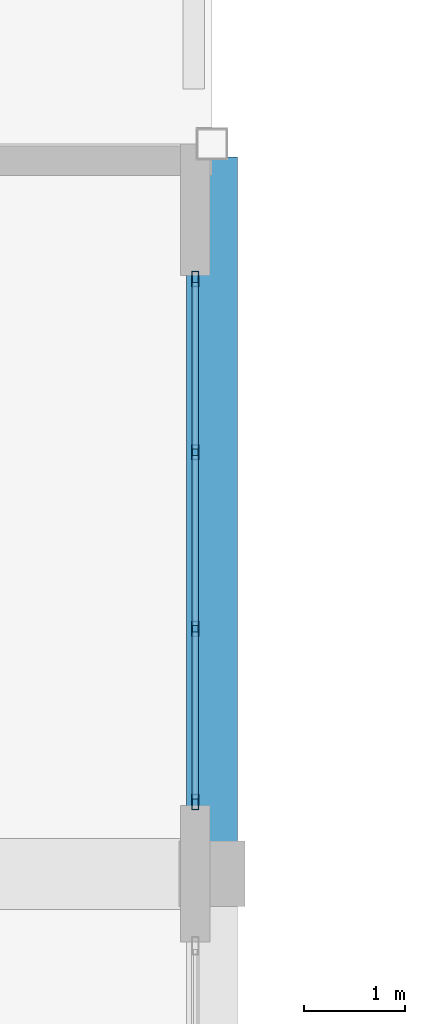
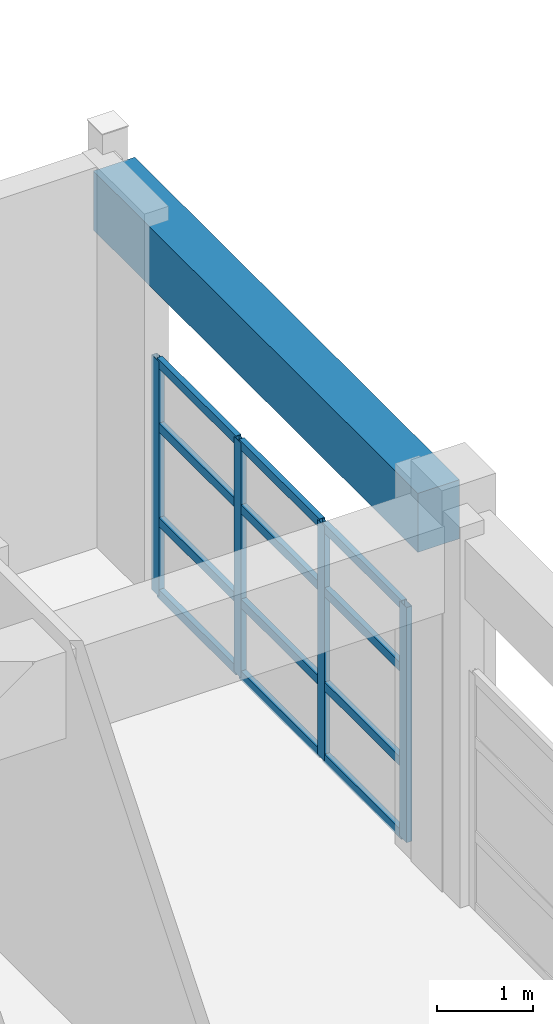
# One storey, part 25 of 78: 16 members, 1 beam, 1 element without a shape of its own.
"""IFC4 building model written with IfcOpenShell, lengths in metres."""

from ifc_helpers import new_model, si_unit, direction, frame, origin, origin_2d, place, context, subcontext, project, spatial, rectangle, hollow_rectangle, extrude, material, layer, layer_set, material_profile, profile_set, type_object, element, aggregate, save


model = new_model("IFC4")

# Units and contexts
model_context = context("Model", 3, precision=1e-05, world=origin(), true_north=direction((0.0, 1.0)))
body_context = subcontext(model_context, "Body", "Model", "MODEL_VIEW")
ifc_project = project(units=[si_unit("LENGTHUNIT", "METRE"), si_unit("AREAUNIT", "SQUARE_METRE"), si_unit("VOLUMEUNIT", "CUBIC_METRE"), si_unit("PLANEANGLEUNIT", "RADIAN"), si_unit("MASSUNIT", "GRAM", prefix="KILO")], contexts=[model_context])

# Site, building, storey
site_placement = place(None, origin())
site = spatial("IfcSite", under=ifc_project, at=site_placement, CompositionType="ELEMENT")
building_placement = place(site_placement, origin())
building = spatial("IfcBuilding", under=site, at=building_placement, Name="Quendrovan Civic Courthouse", CompositionType="ELEMENT")
storey_placement = place(building_placement, frame((0.0, 0.0, 20.39990234375)))
storey = spatial("IfcBuildingStorey", under=building, at=storey_placement, Name="L05", CompositionType="ELEMENT", Elevation=20.39990234375)

# Beam
ifc_material_1 = material(Name="Concrete C40/50", Category="concrete")
ifc_material_profile_1 = material_profile(ifc_material_1, rectangle(XDim=0.5, YDim=0.75, at=origin_2d()), Name="RC-BM-500x750")
ifc_profile_set_1 = profile_set([ifc_material_profile_1], Name="Concrete C40/50")
beam_type = type_object("IfcBeamType", Name="BM-RC750", PredefinedType="SPANDREL", material=ifc_profile_set_1)
beam_placement = place(storey_placement, frame((16.800048828125, 80.705078125, 4.28515625), z_axis=(0.0, 1.0, 0.0), x_axis=(-1.0, 0.0, 0.0)))
element("IfcBeam", 1, at=beam_placement, inside=storey, type_object=beam_type, Name="L05 Girder Y1072", PredefinedType="SPANDREL", context=body_context, shape_type="SweptSolid", body=[
    extrude(rectangle(XDim=0.5, YDim=0.75, at=origin_2d()), origin(), (0.0, 0.0, 1.0), 6.764892578125),
])

# Curtain wall, members
ifc_material_2 = material(Name="Bronze anodised aluminium and low-E glass", Category="aluminium")
ifc_layer = layer(ifc_material_2, 0.179931640625, Name="Bronze anodised aluminium and low-E glass")
ifc_layer_set = layer_set([ifc_layer], Name="Bronze anodised aluminium and low-E glass")
curtain_wall_type = type_object("IfcCurtainWallType", Name="CW-U52x30", PredefinedType="USERDEFINED", material=ifc_layer_set)
curtain_wall_placement = place(storey_placement, origin())
curtain_wall = element("IfcCurtainWall", 2, at=curtain_wall_placement, inside=storey, type_object=curtain_wall_type, Name="L05 Unitised Hurricane Curtain Wall CW-181", ObjectType="UNITISED CURTAIN WALL", PredefinedType="USERDEFINED")
ifc_material_3 = material(Name="Bronze anodised aluminium", Category="aluminium")
ifc_material_profile_2 = material_profile(ifc_material_3, hollow_rectangle(XDim=0.06494140625, YDim=0.14990234375, WallThickness=0.00390625, at=origin_2d()), Name="CW-MULL-65x150")
ifc_profile_set_2 = profile_set([ifc_material_profile_2], Name="Bronze anodised aluminium")
member_type_1 = type_object("IfcMemberType", Name="CW-MULL-B", PredefinedType="MULLION", material=ifc_profile_set_2)
member_1_placement = place(storey_placement, frame((16.635009765625, 86.267578125, 0.0), z_axis=(0.0, 0.0, 1.0), x_axis=(1.0, 0.0, 0.0)))
member_1 = element("IfcMember", 3, at=member_1_placement, type_object=member_type_1, Name="CW-181 mullion 1", PredefinedType="MULLION", context=body_context, shape_type="SweptSolid", body=[
    extrude(hollow_rectangle(XDim=0.06494140625, YDim=0.14990234375, WallThickness=0.00390625, at=origin_2d()), origin(), (0.0, 0.0, 1.0), 2.989990234375),
])
member_2_placement = place(storey_placement, frame((16.635009765625, 84.558349609375, 0.0), z_axis=(0.0, 0.0, 1.0), x_axis=(1.0, 0.0, 0.0)))
member_2 = element("IfcMember", 4, at=member_2_placement, type_object=member_type_1, Name="CW-181 mullion 2", PredefinedType="MULLION", context=body_context, shape_type="SweptSolid", body=[
    extrude(hollow_rectangle(XDim=0.06494140625, YDim=0.14990234375, WallThickness=0.00390625, at=origin_2d()), origin(), (0.0, 0.0, 1.0), 2.989990234375),
])
member_3_placement = place(storey_placement, frame((16.635009765625, 82.816650390625, 0.0), z_axis=(0.0, 0.0, 1.0), x_axis=(1.0, 0.0, 0.0)))
member_3 = element("IfcMember", 5, at=member_3_placement, type_object=member_type_1, Name="CW-181 mullion 3", PredefinedType="MULLION", context=body_context, shape_type="SweptSolid", body=[
    extrude(hollow_rectangle(XDim=0.06494140625, YDim=0.14990234375, WallThickness=0.00390625, at=origin_2d()), origin(), (0.0, 0.0, 1.0), 2.989990234375),
])
member_4_placement = place(storey_placement, frame((16.635009765625, 81.107421875, 0.0), z_axis=(0.0, 0.0, 1.0), x_axis=(1.0, 0.0, 0.0)))
member_4 = element("IfcMember", 6, at=member_4_placement, type_object=member_type_1, Name="CW-181 mullion 4", PredefinedType="MULLION", context=body_context, shape_type="SweptSolid", body=[
    extrude(hollow_rectangle(XDim=0.06494140625, YDim=0.14990234375, WallThickness=0.00390625, at=origin_2d()), origin(), (0.0, 0.0, 1.0), 2.989990234375),
])
ifc_material_profile_3 = material_profile(ifc_material_3, hollow_rectangle(XDim=0.06494140625, YDim=0.114990234375, WallThickness=0.00390625, at=origin_2d()), Name="CW-TRAN-65x115")
ifc_profile_set_3 = profile_set([ifc_material_profile_3], Name="Bronze anodised aluminium")
member_type_2 = type_object("IfcMemberType", Name="CW-TRAN-B", PredefinedType="USERDEFINED", material=ifc_profile_set_3)
member_5_placement = place(storey_placement, frame((16.635009765625, 86.235107421875, 0.03271484375), z_axis=(0.0, -1.0, 0.0), x_axis=(1.0, 0.0, 0.0)))
member_5 = element("IfcMember", 7, at=member_5_placement, type_object=member_type_2, Name="CW-181 transom 1.1", ObjectType="TRANSOM", PredefinedType="USERDEFINED", context=body_context, shape_type="SweptSolid", body=[
    extrude(hollow_rectangle(XDim=0.06494140625, YDim=0.114990234375, WallThickness=0.00390625, at=origin_2d()), origin(), (0.0, 0.0, 1.0), 1.644287109375),
])
member_6_placement = place(storey_placement, frame((16.635009765625, 86.235107421875, 0.9501953125), z_axis=(0.0, -1.0, 0.0), x_axis=(1.0, 0.0, 0.0)))
member_6 = element("IfcMember", 8, at=member_6_placement, type_object=member_type_2, Name="CW-181 transom 1.2", ObjectType="TRANSOM", PredefinedType="USERDEFINED", context=body_context, shape_type="SweptSolid", body=[
    extrude(hollow_rectangle(XDim=0.06494140625, YDim=0.114990234375, WallThickness=0.00390625, at=origin_2d()), origin(), (0.0, 0.0, 1.0), 1.644287109375),
])
member_7_placement = place(storey_placement, frame((16.635009765625, 86.235107421875, 2.150146484375), z_axis=(0.0, -1.0, 0.0), x_axis=(1.0, 0.0, 0.0)))
member_7 = element("IfcMember", 9, at=member_7_placement, type_object=member_type_2, Name="CW-181 transom 1.3", ObjectType="TRANSOM", PredefinedType="USERDEFINED", context=body_context, shape_type="SweptSolid", body=[
    extrude(hollow_rectangle(XDim=0.06494140625, YDim=0.114990234375, WallThickness=0.00390625, at=origin_2d()), origin(), (0.0, 0.0, 1.0), 1.644287109375),
])
member_8_placement = place(storey_placement, frame((16.635009765625, 86.235107421875, 2.95751953125), z_axis=(0.0, -1.0, 0.0), x_axis=(1.0, 0.0, 0.0)))
member_8 = element("IfcMember", 10, at=member_8_placement, type_object=member_type_2, Name="CW-181 transom 1.4", ObjectType="TRANSOM", PredefinedType="USERDEFINED", context=body_context, shape_type="SweptSolid", body=[
    extrude(hollow_rectangle(XDim=0.06494140625, YDim=0.114990234375, WallThickness=0.00390625, at=origin_2d()), origin(), (0.0, 0.0, 1.0), 1.644287109375),
])
member_9_placement = place(storey_placement, frame((16.635009765625, 84.52587890625, 0.03271484375), z_axis=(0.0, -1.0, 0.0), x_axis=(1.0, 0.0, 0.0)))
member_9 = element("IfcMember", 11, at=member_9_placement, type_object=member_type_2, Name="CW-181 transom 2.1", ObjectType="TRANSOM", PredefinedType="USERDEFINED", context=body_context, shape_type="SweptSolid", body=[
    extrude(hollow_rectangle(XDim=0.06494140625, YDim=0.114990234375, WallThickness=0.00390625, at=origin_2d()), origin(), (0.0, 0.0, 1.0), 1.6767578125),
])
member_10_placement = place(storey_placement, frame((16.635009765625, 84.52587890625, 0.9501953125), z_axis=(0.0, -1.0, 0.0), x_axis=(1.0, 0.0, 0.0)))
member_10 = element("IfcMember", 12, at=member_10_placement, type_object=member_type_2, Name="CW-181 transom 2.2", ObjectType="TRANSOM", PredefinedType="USERDEFINED", context=body_context, shape_type="SweptSolid", body=[
    extrude(hollow_rectangle(XDim=0.06494140625, YDim=0.114990234375, WallThickness=0.00390625, at=origin_2d()), origin(), (0.0, 0.0, 1.0), 1.6767578125),
])
member_11_placement = place(storey_placement, frame((16.635009765625, 84.52587890625, 2.150146484375), z_axis=(0.0, -1.0, 0.0), x_axis=(1.0, 0.0, 0.0)))
member_11 = element("IfcMember", 13, at=member_11_placement, type_object=member_type_2, Name="CW-181 transom 2.3", ObjectType="TRANSOM", PredefinedType="USERDEFINED", context=body_context, shape_type="SweptSolid", body=[
    extrude(hollow_rectangle(XDim=0.06494140625, YDim=0.114990234375, WallThickness=0.00390625, at=origin_2d()), origin(), (0.0, 0.0, 1.0), 1.6767578125),
])
member_12_placement = place(storey_placement, frame((16.635009765625, 84.52587890625, 2.95751953125), z_axis=(0.0, -1.0, 0.0), x_axis=(1.0, 0.0, 0.0)))
member_12 = element("IfcMember", 14, at=member_12_placement, type_object=member_type_2, Name="CW-181 transom 2.4", ObjectType="TRANSOM", PredefinedType="USERDEFINED", context=body_context, shape_type="SweptSolid", body=[
    extrude(hollow_rectangle(XDim=0.06494140625, YDim=0.114990234375, WallThickness=0.00390625, at=origin_2d()), origin(), (0.0, 0.0, 1.0), 1.6767578125),
])
member_13_placement = place(storey_placement, frame((16.635009765625, 82.7841796875, 0.03271484375), z_axis=(0.0, -1.0, 0.0), x_axis=(1.0, 0.0, 0.0)))
member_13 = element("IfcMember", 15, at=member_13_placement, type_object=member_type_2, Name="CW-181 transom 3.1", ObjectType="TRANSOM", PredefinedType="USERDEFINED", context=body_context, shape_type="SweptSolid", body=[
    extrude(hollow_rectangle(XDim=0.06494140625, YDim=0.114990234375, WallThickness=0.00390625, at=origin_2d()), origin(), (0.0, 0.0, 1.0), 1.644287109375),
])
member_14_placement = place(storey_placement, frame((16.635009765625, 82.7841796875, 0.9501953125), z_axis=(0.0, -1.0, 0.0), x_axis=(1.0, 0.0, 0.0)))
member_14 = element("IfcMember", 16, at=member_14_placement, type_object=member_type_2, Name="CW-181 transom 3.2", ObjectType="TRANSOM", PredefinedType="USERDEFINED", context=body_context, shape_type="SweptSolid", body=[
    extrude(hollow_rectangle(XDim=0.06494140625, YDim=0.114990234375, WallThickness=0.00390625, at=origin_2d()), origin(), (0.0, 0.0, 1.0), 1.644287109375),
])
member_15_placement = place(storey_placement, frame((16.635009765625, 82.7841796875, 2.150146484375), z_axis=(0.0, -1.0, 0.0), x_axis=(1.0, 0.0, 0.0)))
member_15 = element("IfcMember", 17, at=member_15_placement, type_object=member_type_2, Name="CW-181 transom 3.3", ObjectType="TRANSOM", PredefinedType="USERDEFINED", context=body_context, shape_type="SweptSolid", body=[
    extrude(hollow_rectangle(XDim=0.06494140625, YDim=0.114990234375, WallThickness=0.00390625, at=origin_2d()), origin(), (0.0, 0.0, 1.0), 1.644287109375),
])
member_16_placement = place(storey_placement, frame((16.635009765625, 82.7841796875, 2.95751953125), z_axis=(0.0, -1.0, 0.0), x_axis=(1.0, 0.0, 0.0)))
member_16 = element("IfcMember", 18, at=member_16_placement, type_object=member_type_2, Name="CW-181 transom 3.4", ObjectType="TRANSOM", PredefinedType="USERDEFINED", context=body_context, shape_type="SweptSolid", body=[
    extrude(hollow_rectangle(XDim=0.06494140625, YDim=0.114990234375, WallThickness=0.00390625, at=origin_2d()), origin(), (0.0, 0.0, 1.0), 1.644287109375),
])
aggregate(curtain_wall, [member_1, member_2, member_3, member_4, member_5, member_6, member_7, member_8, member_9, member_10, member_11, member_12, member_13, member_14, member_15, member_16])

save(model, "model.ifc")
